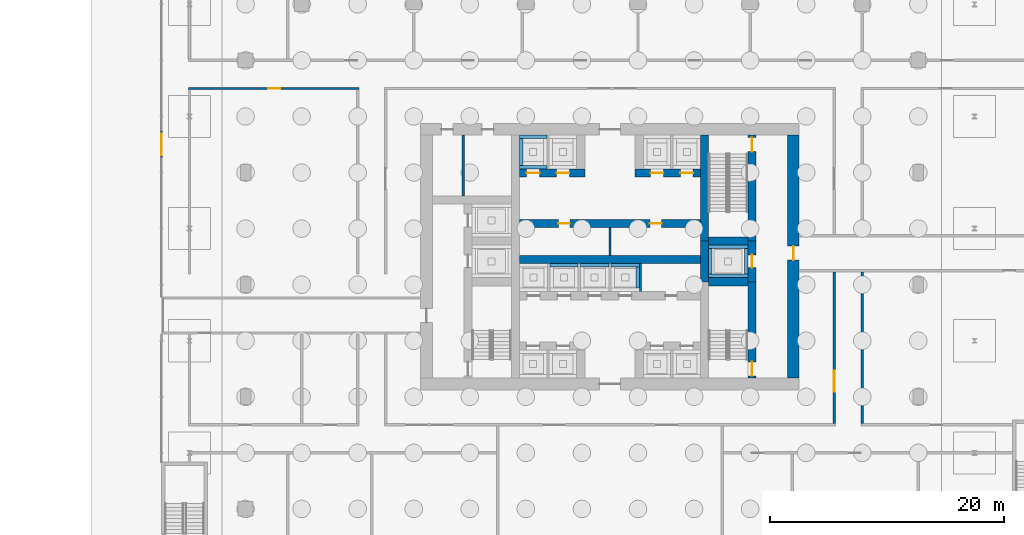
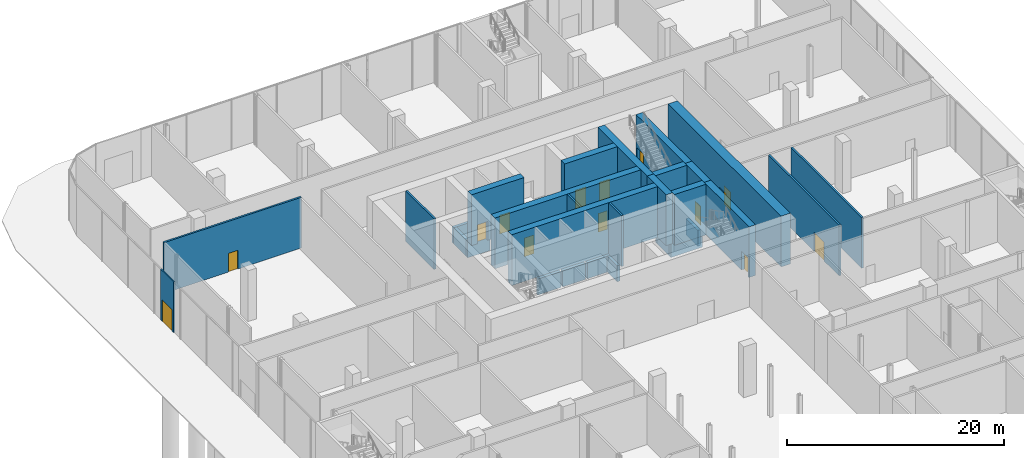
# One storey, part 34 of 44: 30 walls, 13 doors, 13 openings.
"""IFC4 building model written with IfcOpenShell, lengths in metres."""

from ifc_helpers import new_model, si_unit, direction, frame, frame_2d, origin, place, context, subcontext, project, spatial, rectangle, extrude, material, layer, layer_set, type_object, element, fill, save


model = new_model("IFC4")

# Units and contexts
model_context = context("Model", 3, precision=1e-05, world=origin(), true_north=direction((0.0, 1.0)))
body_context = subcontext(model_context, "Body", "Model", "MODEL_VIEW")
ifc_project = project(units=[si_unit("LENGTHUNIT", "METRE"), si_unit("AREAUNIT", "SQUARE_METRE"), si_unit("VOLUMEUNIT", "CUBIC_METRE"), si_unit("PLANEANGLEUNIT", "RADIAN"), si_unit("MASSUNIT", "GRAM", prefix="KILO")], contexts=[model_context])

# Site, building, storey
site_placement = place(None, origin())
site = spatial("IfcSite", under=ifc_project, at=site_placement, CompositionType="ELEMENT")
building_placement = place(site_placement, origin())
building = spatial("IfcBuilding", under=site, at=building_placement, Name="Madar Terraces", CompositionType="ELEMENT")
storey_placement = place(building_placement, origin())
storey = spatial("IfcBuildingStorey", under=building, at=storey_placement, Name="L00", CompositionType="ELEMENT", Elevation=0.0)

# Walls
ifc_material_1 = material(Name="Concrete C80/95", Category="concrete")
ifc_layer_1 = layer(ifc_material_1, 0.699951171875)
ifc_layer_set_1 = layer_set([ifc_layer_1], Name="Concrete C80/95 (CIW1 RC wall 700)")
wall_type_1 = type_object("IfcWallType", Name="CIW1 RC wall 700", PredefinedType="SHEAR", material=ifc_layer_set_1)
wall_1_placement = place(storey_placement, frame((39.300048828125, 24.25, 0.0), z_axis=(0.0, 0.0, 1.0), x_axis=(0.0, 1.0, 0.0)))
element("IfcWall", 1, at=wall_1_placement, inside=storey, type_object=wall_type_1, Name="CORE SHAFT WALL", PredefinedType="SHEAR", context=body_context, shape_type="SweptSolid", body=[
    extrude(rectangle(XDim=3.5, YDim=0.699951171875, at=frame_2d((1.75, 0.0))), origin(), (0.0, 0.0, 1.0), 5.699951171875),
])
wall_2_placement = place(storey_placement, frame((39.300048828125, 27.75, 0.0), z_axis=(0.0, 0.0, 1.0), x_axis=(0.0, 1.0, 0.0)))
element("IfcWall", 2, at=wall_2_placement, inside=storey, type_object=wall_type_1, Name="CORE SHAFT WALL", PredefinedType="SHEAR", context=body_context, shape_type="SweptSolid", body=[
    extrude(rectangle(XDim=9.050048828125, YDim=0.699951171875, at=frame_2d((4.52490234375, 0.0))), origin(), (0.0, 0.0, 1.0), 5.699951171875),
])

# Wall, opening, door
wall_3_placement = place(storey_placement, frame((43.35009765625, 16.0, 0.0), z_axis=(0.0, 0.0, 1.0), x_axis=(0.0, 1.0, 0.0)))
wall_3 = element("IfcWall", 3, at=wall_3_placement, inside=storey, type_object=wall_type_1, Name="CORE SHAFT WALL", PredefinedType="SHEAR", context=body_context, shape_type="SweptSolid", body=[
    extrude(rectangle(XDim=8.25, YDim=0.699951171875, at=frame_2d((4.125, 0.0))), origin(), (0.0, 0.0, 1.0), 5.699951171875),
])
opening_1_placement = place(wall_3_placement, frame((0.199951171875, 0.0, 0.0)))
opening_1 = element("IfcOpeningElement", 4, at=opening_1_placement, cuts=wall_3, Name="Opening SD1", PredefinedType="OPENING", context=body_context, shape_type="SweptSolid", body=[
    extrude(rectangle(XDim=1.199951171875, YDim=2.10009765625, at=frame_2d((0.60009765625, 1.050048828125))), frame((0.0, 0.35986328125, 0.0), z_axis=(0.0, -1.0, 0.0), x_axis=(1.0, 0.0, 0.0)), (0.0, 0.0, 1.0), 0.719970703125),
])
ifc_material_2 = material(Name="Steel door leaf", Category="steel")
door_type_1 = type_object("IfcDoorType", Name="Stair door 1200 x 2100", OperationType="NOTDEFINED", PredefinedType="DOOR", material=ifc_material_2)
door_1_placement = place(opening_1_placement, frame((1.199951171875, 0.0, 0.0), z_axis=(0.0, 0.0, 1.0), x_axis=(-1.0, 0.0, 0.0)))
door_1 = element("IfcDoor", 5, at=door_1_placement, inside=storey, type_object=door_type_1, Name="STAIR DOOR", OperationType="SINGLE_SWING_LEFT", OverallHeight=2.10009765625, OverallWidth=1.199951171875, PredefinedType="DOOR", context=body_context, shape_type="SweptSolid", body=[
    extrude(rectangle(XDim=1.199951171875, YDim=2.10009765625, at=frame_2d((0.60009765625, 1.050048828125))), frame((0.0, 0.02490234375, 0.0), z_axis=(0.0, -1.0, 0.0), x_axis=(1.0, 0.0, 0.0)), (0.0, 0.0, 1.0), 0.050048828125),
])
fill(opening_1, door_1)

wall_4_placement = place(storey_placement, frame((43.35009765625, 24.25, 0.0), z_axis=(0.0, 0.0, 1.0), x_axis=(0.0, 1.0, 0.0)))
wall_4 = element("IfcWall", 6, at=wall_4_placement, inside=storey, type_object=wall_type_1, Name="CORE SHAFT WALL", PredefinedType="SHEAR", context=body_context, shape_type="SweptSolid", body=[
    extrude(rectangle(XDim=3.5, YDim=0.699951171875, at=frame_2d((1.75, 0.0))), origin(), (0.0, 0.0, 1.0), 5.699951171875),
])
opening_2_placement = place(wall_4_placement, frame((1.199951171875, 0.0, 0.0)))
opening_2 = element("IfcOpeningElement", 7, at=opening_2_placement, cuts=wall_4, Name="Opening LD", PredefinedType="OPENING", context=body_context, shape_type="SweptSolid", body=[
    extrude(rectangle(XDim=1.10009765625, YDim=2.10009765625, at=frame_2d((0.550048828125, 1.050048828125))), frame((0.0, 0.35986328125, 0.0), z_axis=(0.0, -1.0, 0.0), x_axis=(1.0, 0.0, 0.0)), (0.0, 0.0, 1.0), 0.719970703125),
])
ifc_material_3 = material(Name="Stainless steel panel", Category="steel")
door_type_2 = type_object("IfcDoorType", Name="Lift landing door 1100 x 2100", OperationType="DOUBLE_DOOR_SLIDING", PredefinedType="DOOR", material=ifc_material_3)
door_2_placement = place(opening_2_placement, origin())
door_2 = element("IfcDoor", 8, at=door_2_placement, inside=storey, type_object=door_type_2, Name="LIFT LANDING DOOR", OperationType="DOUBLE_DOOR_SLIDING", OverallHeight=2.10009765625, OverallWidth=1.10009765625, PredefinedType="DOOR", context=body_context, shape_type="SweptSolid", body=[
    extrude(rectangle(XDim=1.10009765625, YDim=2.10009765625, at=frame_2d((0.550048828125, 1.050048828125))), frame((0.0, 0.02490234375, 0.0), z_axis=(0.0, -1.0, 0.0), x_axis=(1.0, 0.0, 0.0)), (0.0, 0.0, 1.0), 0.050048828125),
])
fill(opening_2, door_2)

wall_5_placement = place(storey_placement, frame((43.35009765625, 27.75, 0.0), z_axis=(0.0, 0.0, 1.0), x_axis=(0.0, 1.0, 0.0)))
wall_5 = element("IfcWall", 9, at=wall_5_placement, inside=storey, type_object=wall_type_1, Name="CORE SHAFT WALL", PredefinedType="SHEAR", context=body_context, shape_type="SweptSolid", body=[
    extrude(rectangle(XDim=9.050048828125, YDim=0.699951171875, at=frame_2d((4.52490234375, 0.0))), origin(), (0.0, 0.0, 1.0), 5.699951171875),
])
opening_3_placement = place(wall_5_placement, frame((7.64990234375, 0.0, 0.0)))
opening_3 = element("IfcOpeningElement", 10, at=opening_3_placement, cuts=wall_5, Name="Opening SD1", PredefinedType="OPENING", context=body_context, shape_type="SweptSolid", body=[
    extrude(rectangle(XDim=1.199951171875, YDim=2.10009765625, at=frame_2d((0.60009765625, 1.050048828125))), frame((0.0, 0.35986328125, 0.0), z_axis=(0.0, -1.0, 0.0), x_axis=(1.0, 0.0, 0.0)), (0.0, 0.0, 1.0), 0.719970703125),
])
door_3_placement = place(opening_3_placement, frame((1.199951171875, 0.0, 0.0), z_axis=(0.0, 0.0, 1.0), x_axis=(-1.0, 0.0, 0.0)))
door_3 = element("IfcDoor", 11, at=door_3_placement, inside=storey, type_object=door_type_1, Name="STAIR DOOR", OperationType="SINGLE_SWING_RIGHT", OverallHeight=2.10009765625, OverallWidth=1.199951171875, PredefinedType="DOOR", context=body_context, shape_type="SweptSolid", body=[
    extrude(rectangle(XDim=1.199951171875, YDim=2.10009765625, at=frame_2d((0.60009765625, 1.050048828125))), frame((0.0, 0.02490234375, 0.0), z_axis=(0.0, -1.0, 0.0), x_axis=(1.0, 0.0, 0.0)), (0.0, 0.0, 1.0), 0.050048828125),
])
fill(opening_3, door_3)

# Walls
for number, where, z_axis, x_axis, name in (
    (12, (39.64990234375, 24.25, 0.0), (0.0, 0.0, 1.0), (1.0, 0.0, 0.0), "CORE SHAFT WALL"),
    (13, (39.64990234375, 27.75, 0.0), (0.0, 0.0, 1.0), (1.0, 0.0, 0.0), "CORE SHAFT WALL"),
):
    element("IfcWall", number, at=place(storey_placement, frame(where, z_axis=z_axis, x_axis=x_axis)), inside=storey, type_object=wall_type_1, Name=name, PredefinedType="SHEAR", context=body_context, shape_type="SweptSolid", body=[
        extrude(rectangle(XDim=3.35009765625, YDim=0.699951171875, at=frame_2d((1.675048828125, 0.0))), origin(), (0.0, 0.0, 1.0), 5.699951171875),
    ])
wall_6_placement = place(storey_placement, frame((23.449951171875, 26.14990234375, 0.0), z_axis=(0.0, 0.0, 1.0), x_axis=(1.0, 0.0, 0.0)))
element("IfcWall", 14, at=wall_6_placement, inside=storey, type_object=wall_type_1, Name="CORE SHAFT WALL", PredefinedType="SHEAR", context=body_context, shape_type="SweptSolid", body=[
    extrude(rectangle(XDim=15.5, YDim=0.699951171875, at=frame_2d((7.75, 0.0))), origin(), (0.0, 0.0, 1.0), 5.699951171875),
])

# Wall, openings, doors
wall_7_placement = place(storey_placement, frame((23.449951171875, 29.25, 0.0), z_axis=(0.0, 0.0, 1.0), x_axis=(1.0, 0.0, 0.0)))
wall_7 = element("IfcWall", 15, at=wall_7_placement, inside=storey, type_object=wall_type_1, Name="CORE SHAFT WALL", PredefinedType="SHEAR", context=body_context, shape_type="SweptSolid", body=[
    extrude(rectangle(XDim=15.5, YDim=0.699951171875, at=frame_2d((7.75, 0.0))), origin(), (0.0, 0.0, 1.0), 5.699951171875),
])
opening_4_placement = place(wall_7_placement, frame((3.324951171875, 0.0, 0.0)))
opening_4 = element("IfcOpeningElement", 16, at=opening_4_placement, cuts=wall_7, Name="Opening KD2", PredefinedType="OPENING", context=body_context, shape_type="SweptSolid", body=[
    extrude(rectangle(XDim=1.0, YDim=2.10009765625, at=frame_2d((0.5, 1.050048828125))), frame((0.0, 0.35986328125, 0.0), z_axis=(0.0, -1.0, 0.0), x_axis=(1.0, 0.0, 0.0)), (0.0, 0.0, 1.0), 0.719970703125),
])
opening_5_placement = place(wall_7_placement, frame((11.175048828125, 0.0, 0.0)))
opening_5 = element("IfcOpeningElement", 17, at=opening_5_placement, cuts=wall_7, Name="Opening KD2", PredefinedType="OPENING", context=body_context, shape_type="SweptSolid", body=[
    extrude(rectangle(XDim=1.0, YDim=2.10009765625, at=frame_2d((0.5, 1.050048828125))), frame((0.0, 0.35986328125, 0.0), z_axis=(0.0, -1.0, 0.0), x_axis=(1.0, 0.0, 0.0)), (0.0, 0.0, 1.0), 0.719970703125),
])
ifc_material_4 = material(Name="Steel door leaf", Category="steel")
door_type_3 = type_object("IfcDoorType", Name="Service room door 1000 x 2100", OperationType="NOTDEFINED", PredefinedType="DOOR", material=ifc_material_4)
door_4_placement = place(opening_4_placement, origin())
door_4 = element("IfcDoor", 18, at=door_4_placement, inside=storey, type_object=door_type_3, Name="SERVICE ROOM DOOR", OperationType="SINGLE_SWING_RIGHT", OverallHeight=2.10009765625, OverallWidth=1.0, PredefinedType="DOOR", context=body_context, shape_type="SweptSolid", body=[
    extrude(rectangle(XDim=1.0, YDim=2.10009765625, at=frame_2d((0.5, 1.050048828125))), frame((0.0, 0.02490234375, 0.0), z_axis=(0.0, -1.0, 0.0), x_axis=(1.0, 0.0, 0.0)), (0.0, 0.0, 1.0), 0.050048828125),
])
fill(opening_4, door_4)
door_5_placement = place(opening_5_placement, origin())
door_5 = element("IfcDoor", 19, at=door_5_placement, inside=storey, type_object=door_type_3, Name="SERVICE ROOM DOOR", OperationType="SINGLE_SWING_LEFT", OverallHeight=2.10009765625, OverallWidth=1.0, PredefinedType="DOOR", context=body_context, shape_type="SweptSolid", body=[
    extrude(rectangle(XDim=1.0, YDim=2.10009765625, at=frame_2d((0.5, 1.050048828125))), frame((0.0, 0.02490234375, 0.0), z_axis=(0.0, -1.0, 0.0), x_axis=(1.0, 0.0, 0.0)), (0.0, 0.0, 1.0), 0.050048828125),
])
fill(opening_5, door_5)

wall_8_placement = place(storey_placement, frame((23.449951171875, 33.550048828125, 0.0), z_axis=(0.0, 0.0, 1.0), x_axis=(1.0, 0.0, 0.0)))
wall_8 = element("IfcWall", 20, at=wall_8_placement, inside=storey, type_object=wall_type_1, Name="CORE SHAFT WALL", PredefinedType="SHEAR", context=body_context, shape_type="SweptSolid", body=[
    extrude(rectangle(XDim=5.60009765625, YDim=0.699951171875, at=frame_2d((2.800048828125, 0.0))), origin(), (0.0, 0.0, 1.0), 5.699951171875),
])
opening_6_placement = place(wall_8_placement, frame((0.625, 0.0, 0.0)))
opening_6 = element("IfcOpeningElement", 21, at=opening_6_placement, cuts=wall_8, Name="Opening LD", PredefinedType="OPENING", context=body_context, shape_type="SweptSolid", body=[
    extrude(rectangle(XDim=1.10009765625, YDim=2.10009765625, at=frame_2d((0.550048828125, 1.050048828125))), frame((0.0, 0.35986328125, 0.0), z_axis=(0.0, -1.0, 0.0), x_axis=(1.0, 0.0, 0.0)), (0.0, 0.0, 1.0), 0.719970703125),
])
opening_7_placement = place(wall_8_placement, frame((3.175048828125, 0.0, 0.0)))
opening_7 = element("IfcOpeningElement", 22, at=opening_7_placement, cuts=wall_8, Name="Opening LD", PredefinedType="OPENING", context=body_context, shape_type="SweptSolid", body=[
    extrude(rectangle(XDim=1.10009765625, YDim=2.10009765625, at=frame_2d((0.550048828125, 1.050048828125))), frame((0.0, 0.35986328125, 0.0), z_axis=(0.0, -1.0, 0.0), x_axis=(1.0, 0.0, 0.0)), (0.0, 0.0, 1.0), 0.719970703125),
])
door_6_placement = place(opening_6_placement, origin())
door_6 = element("IfcDoor", 23, at=door_6_placement, inside=storey, type_object=door_type_2, Name="LIFT LANDING DOOR", OperationType="DOUBLE_DOOR_SLIDING", OverallHeight=2.10009765625, OverallWidth=1.10009765625, PredefinedType="DOOR", context=body_context, shape_type="SweptSolid", body=[
    extrude(rectangle(XDim=1.10009765625, YDim=2.10009765625, at=frame_2d((0.550048828125, 1.050048828125))), frame((0.0, 0.02490234375, 0.0), z_axis=(0.0, -1.0, 0.0), x_axis=(1.0, 0.0, 0.0)), (0.0, 0.0, 1.0), 0.050048828125),
])
fill(opening_6, door_6)
door_7_placement = place(opening_7_placement, origin())
door_7 = element("IfcDoor", 24, at=door_7_placement, inside=storey, type_object=door_type_2, Name="LIFT LANDING DOOR", OperationType="DOUBLE_DOOR_SLIDING", OverallHeight=2.10009765625, OverallWidth=1.10009765625, PredefinedType="DOOR", context=body_context, shape_type="SweptSolid", body=[
    extrude(rectangle(XDim=1.10009765625, YDim=2.10009765625, at=frame_2d((0.550048828125, 1.050048828125))), frame((0.0, 0.02490234375, 0.0), z_axis=(0.0, -1.0, 0.0), x_axis=(1.0, 0.0, 0.0)), (0.0, 0.0, 1.0), 0.050048828125),
])
fill(opening_7, door_7)

wall_9_placement = place(storey_placement, frame((33.35009765625, 33.550048828125, 0.0), z_axis=(0.0, 0.0, 1.0), x_axis=(1.0, 0.0, 0.0)))
wall_9 = element("IfcWall", 25, at=wall_9_placement, inside=storey, type_object=wall_type_1, Name="CORE SHAFT WALL", PredefinedType="SHEAR", context=body_context, shape_type="SweptSolid", body=[
    extrude(rectangle(XDim=5.599853515625, YDim=0.699951171875, at=frame_2d((2.7998046875, 0.0))), origin(), (0.0, 0.0, 1.0), 5.699951171875),
])
opening_8_placement = place(wall_9_placement, frame((1.324951171875, 0.0, 0.0)))
opening_8 = element("IfcOpeningElement", 26, at=opening_8_placement, cuts=wall_9, Name="Opening LD", PredefinedType="OPENING", context=body_context, shape_type="SweptSolid", body=[
    extrude(rectangle(XDim=1.10009765625, YDim=2.10009765625, at=frame_2d((0.550048828125, 1.050048828125))), frame((0.0, 0.35986328125, 0.0), z_axis=(0.0, -1.0, 0.0), x_axis=(1.0, 0.0, 0.0)), (0.0, 0.0, 1.0), 0.719970703125),
])
opening_9_placement = place(wall_9_placement, frame((3.875, 0.0, 0.0)))
opening_9 = element("IfcOpeningElement", 27, at=opening_9_placement, cuts=wall_9, Name="Opening LD", PredefinedType="OPENING", context=body_context, shape_type="SweptSolid", body=[
    extrude(rectangle(XDim=1.10009765625, YDim=2.10009765625, at=frame_2d((0.550048828125, 1.050048828125))), frame((0.0, 0.35986328125, 0.0), z_axis=(0.0, -1.0, 0.0), x_axis=(1.0, 0.0, 0.0)), (0.0, 0.0, 1.0), 0.719970703125),
])
door_8_placement = place(opening_8_placement, origin())
door_8 = element("IfcDoor", 28, at=door_8_placement, inside=storey, type_object=door_type_2, Name="LIFT LANDING DOOR", OperationType="DOUBLE_DOOR_SLIDING", OverallHeight=2.10009765625, OverallWidth=1.10009765625, PredefinedType="DOOR", context=body_context, shape_type="SweptSolid", body=[
    extrude(rectangle(XDim=1.10009765625, YDim=2.10009765625, at=frame_2d((0.550048828125, 1.050048828125))), frame((0.0, 0.02490234375, 0.0), z_axis=(0.0, -1.0, 0.0), x_axis=(1.0, 0.0, 0.0)), (0.0, 0.0, 1.0), 0.050048828125),
])
fill(opening_8, door_8)
door_9_placement = place(opening_9_placement, origin())
door_9 = element("IfcDoor", 29, at=door_9_placement, inside=storey, type_object=door_type_2, Name="LIFT LANDING DOOR", OperationType="DOUBLE_DOOR_SLIDING", OverallHeight=2.10009765625, OverallWidth=1.10009765625, PredefinedType="DOOR", context=body_context, shape_type="SweptSolid", body=[
    extrude(rectangle(XDim=1.10009765625, YDim=2.10009765625, at=frame_2d((0.550048828125, 1.050048828125))), frame((0.0, 0.02490234375, 0.0), z_axis=(0.0, -1.0, 0.0), x_axis=(1.0, 0.0, 0.0)), (0.0, 0.0, 1.0), 0.050048828125),
])
fill(opening_9, door_9)

# Wall, opening, door
ifc_material_5 = material(Name="Concrete C80/95", Category="concrete")
ifc_layer_2 = layer(ifc_material_5, 1.0)
ifc_layer_set_2 = layer_set([ifc_layer_2], Name="Concrete C80/95 (CRW1 RC wall 1000)")
wall_type_2 = type_object("IfcWallType", Name="CRW1 RC wall 1000", PredefinedType="SHEAR", material=ifc_layer_set_2)
wall_10_placement = place(storey_placement, frame((46.89990234375, 16.0, 0.0), z_axis=(0.0, 0.0, 1.0), x_axis=(0.0, 1.0, 0.0)))
wall_10 = element("IfcWall", 30, at=wall_10_placement, inside=storey, type_object=wall_type_2, Name="CORE OUTER WALL", PredefinedType="SHEAR", context=body_context, shape_type="SweptSolid", body=[
    extrude(rectangle(XDim=20.800048828125, YDim=1.0, at=frame_2d((10.39990234375, 0.0))), origin(), (0.0, 0.0, 1.0), 5.699951171875),
])
opening_10_placement = place(wall_10_placement, frame((10.10009765625, 0.0, 0.0)))
opening_10 = element("IfcOpeningElement", 31, at=opening_10_placement, cuts=wall_10, Name="Opening SD1", PredefinedType="OPENING", context=body_context, shape_type="SweptSolid", body=[
    extrude(rectangle(XDim=1.199951171875, YDim=2.10009765625, at=frame_2d((0.60009765625, 1.050048828125))), frame((0.0, 0.510009765625, 0.0), z_axis=(0.0, -1.0, 0.0), x_axis=(1.0, 0.0, 0.0)), (0.0, 0.0, 1.0), 1.02001953125),
])
door_10_placement = place(opening_10_placement, frame((1.199951171875, 0.0, 0.0), z_axis=(0.0, 0.0, 1.0), x_axis=(-1.0, 0.0, 0.0)))
door_10 = element("IfcDoor", 32, at=door_10_placement, inside=storey, type_object=door_type_1, Name="STAIR DOOR", OperationType="SINGLE_SWING_RIGHT", OverallHeight=2.10009765625, OverallWidth=1.199951171875, PredefinedType="DOOR", context=body_context, shape_type="SweptSolid", body=[
    extrude(rectangle(XDim=1.199951171875, YDim=2.10009765625, at=frame_2d((0.60009765625, 1.050048828125))), frame((0.0, 0.02490234375, 0.0), z_axis=(0.0, -1.0, 0.0), x_axis=(1.0, 0.0, 0.0)), (0.0, 0.0, 1.0), 0.050048828125),
])
fill(opening_10, door_10)

# Walls
ifc_material_6 = material(Name="Masonry blockwork", Category="masonry")
ifc_layer_3 = layer(ifc_material_6, 0.199951171875)
ifc_layer_set_3 = layer_set([ifc_layer_3], Name="Core partition 200 blockwork")
wall_type_3 = type_object("IfcWallType", Name="Core partition 200 blockwork", PredefinedType="PARTITIONING", material=ifc_layer_set_3)
wall_11_placement = place(storey_placement, frame((18.632568359375, 31.60009765625, 0.0), z_axis=(0.0, 0.0, 1.0), x_axis=(0.0, 1.0, 0.0)))
element("IfcWall", 33, at=wall_11_placement, inside=storey, type_object=wall_type_3, Name="SERVICE ROOM PARTITION", PredefinedType="PARTITIONING", context=body_context, shape_type="SweptSolid", body=[
    extrude(rectangle(XDim=5.199951171875, YDim=0.199951171875, at=frame_2d((2.60009765625, 0.0))), origin(), (0.0, 0.0, 1.0), 5.699951171875),
])
wall_12_placement = place(storey_placement, frame((31.199951171875, 26.5, 0.0), z_axis=(0.0, 0.0, 1.0), x_axis=(0.0, 1.0, 0.0)))
element("IfcWall", 34, at=wall_12_placement, inside=storey, type_object=wall_type_3, Name="SERVICE ROOM PARTITION", PredefinedType="PARTITIONING", context=body_context, shape_type="SweptSolid", body=[
    extrude(rectangle(XDim=2.39990234375, YDim=0.199951171875, at=frame_2d((1.199951171875, 0.0))), origin(), (0.0, 0.0, 1.0), 5.699951171875),
])
ifc_material_7 = material(Name="Concrete C40/50", Category="concrete")
ifc_layer_4 = layer(ifc_material_7, 0.199951171875)
ifc_layer_set_4 = layer_set([ifc_layer_4], Name="Core shaft dividing wall 200 C40/50")
wall_type_4 = type_object("IfcWallType", Name="Core shaft dividing wall 200 C40/50", PredefinedType="SOLIDWALL", material=ifc_layer_set_4)
wall_13_placement = place(storey_placement, frame((33.816650390625, 23.39990234375, 0.0), z_axis=(0.0, 0.0, 1.0), x_axis=(0.0, 1.0, 0.0)))
element("IfcWall", 35, at=wall_13_placement, inside=storey, type_object=wall_type_4, Name="SHAFT DIVIDING WALL", PredefinedType="SOLIDWALL", context=body_context, shape_type="SweptSolid", body=[
    extrude(rectangle(XDim=2.400146484375, YDim=0.199951171875, at=frame_2d((1.2001953125, 0.0))), origin(), (0.0, 0.0, 1.0), 5.699951171875),
])

# Wall, opening, door
ifc_material_8 = material(Name="Aluminium composite panel, black, over insulated backing", Category="aluminium")
ifc_layer_5 = layer(ifc_material_8, 0.14990234375)
ifc_layer_set_5 = layer_set([ifc_layer_5], Name="Facade bay panel 150")
wall_type_5 = type_object("IfcWallType", Name="Facade bay panel 150", PredefinedType="SOLIDWALL", material=ifc_layer_set_5)
wall_14_placement = place(storey_placement, frame((-7.199951171875, 37.199951171875, 0.0), z_axis=(0.0, 0.0, 1.0), x_axis=(0.0, -1.0, 0.0)))
wall_14 = element("IfcWall", 36, at=wall_14_placement, inside=storey, type_object=wall_type_5, Name="Facade bay panel", PredefinedType="SOLIDWALL", context=body_context, shape_type="SweptSolid", body=[
    extrude(rectangle(XDim=2.39990234375, YDim=0.14990234375, at=frame_2d((1.199951171875, 0.0))), origin(), (0.0, 0.0, 1.0), 5.699951171875),
])
opening_11_placement = place(wall_14_placement, frame((0.300048828125, 0.0, 0.0)))
opening_11 = element("IfcOpeningElement", 37, at=opening_11_placement, cuts=wall_14, Name="Opening ED1", PredefinedType="OPENING", context=body_context, shape_type="SweptSolid", body=[
    extrude(rectangle(XDim=1.800048828125, YDim=2.39990234375, at=frame_2d((0.89990234375, 1.199951171875))), frame((0.0, 0.0849609375, 0.0), z_axis=(0.0, -1.0, 0.0), x_axis=(1.0, 0.0, 0.0)), (0.0, 0.0, 1.0), 0.169921875),
])
ifc_material_9 = material(Name="Glass, clear, with black aluminium frame", Category="aluminium")
door_type_4 = type_object("IfcDoorType", Name="Balcony and terrace sliding door 1800 x 2400", OperationType="SLIDING_TO_LEFT", PredefinedType="DOOR", material=ifc_material_9)
door_11_placement = place(opening_11_placement, origin())
door_11 = element("IfcDoor", 38, at=door_11_placement, inside=storey, type_object=door_type_4, Name="Balcony door", OperationType="SLIDING_TO_LEFT", OverallHeight=2.39990234375, OverallWidth=1.800048828125, PredefinedType="DOOR", context=body_context, shape_type="SweptSolid", body=[
    extrude(rectangle(XDim=1.800048828125, YDim=2.39990234375, at=frame_2d((0.89990234375, 1.199951171875))), frame((0.0, 0.02490234375, 0.0), z_axis=(0.0, -1.0, 0.0), x_axis=(1.0, 0.0, 0.0)), (0.0, 0.0, 1.0), 0.050048828125),
])
fill(opening_11, door_11)

# Walls
ifc_material_10 = material(Name="Concrete C40/50", Category="concrete")
ifc_layer_6 = layer(ifc_material_10, 0.300048828125)
ifc_layer_set_6 = layer_set([ifc_layer_6], Name="Lift pit wall 300 C40/50")
wall_type_6 = type_object("IfcWallType", Name="Lift pit wall 300 C40/50", PredefinedType="SOLIDWALL", material=ifc_layer_set_6)
wall_15_placement = place(storey_placement, frame((26.066650390625, 25.64990234375, -1.800048828125), z_axis=(0.0, 0.0, 1.0), x_axis=(1.0, 0.0, 0.0)))
element("IfcWall", 39, at=wall_15_placement, inside=storey, type_object=wall_type_6, Name="LIFT PIT WALL LR6", PredefinedType="SOLIDWALL", context=body_context, shape_type="SweptSolid", body=[
    extrude(rectangle(XDim=2.416748046875, YDim=0.300048828125, at=frame_2d((1.20849609375, 0.0))), origin(), (0.0, 0.0, 1.0), 1.800048828125),
])
for number, where, z_axis, x_axis, name in (
    (40, (23.449951171875, 34.050048828125, -1.800048828125), (0.0, 0.0, 1.0), (1.0, 0.0, 0.0), "LIFT PIT WALL SH1"),
    (41, (23.449951171875, 36.64990234375, -1.800048828125), (0.0, 0.0, 1.0), (1.0, 0.0, 0.0), "LIFT PIT WALL SH1"),
):
    element("IfcWall", number, at=place(storey_placement, frame(where, z_axis=z_axis, x_axis=x_axis)), inside=storey, type_object=wall_type_6, Name=name, PredefinedType="SOLIDWALL", context=body_context, shape_type="SweptSolid", body=[
        extrude(rectangle(XDim=2.35009765625, YDim=0.300048828125, at=frame_2d((1.175048828125, 0.0))), origin(), (0.0, 0.0, 1.0), 1.800048828125),
    ])
wall_16_placement = place(storey_placement, frame((23.60009765625, 34.199951171875, -1.800048828125), z_axis=(0.0, 0.0, 1.0), x_axis=(0.0, 1.0, 0.0)))
element("IfcWall", 42, at=wall_16_placement, inside=storey, type_object=wall_type_6, Name="LIFT PIT WALL SH1", PredefinedType="SOLIDWALL", context=body_context, shape_type="SweptSolid", body=[
    extrude(rectangle(XDim=2.300048828125, YDim=0.300048828125, at=frame_2d((1.14990234375, 0.0))), origin(), (0.0, 0.0, 1.0), 1.800048828125),
])
wall_17_placement = place(storey_placement, frame((28.683349609375, 25.64990234375, -1.800048828125), z_axis=(0.0, 0.0, 1.0), x_axis=(1.0, 0.0, 0.0)))
element("IfcWall", 43, at=wall_17_placement, inside=storey, type_object=wall_type_6, Name="LIFT PIT WALL OB1", PredefinedType="SOLIDWALL", context=body_context, shape_type="SweptSolid", body=[
    extrude(rectangle(XDim=2.416748046875, YDim=0.300048828125, at=frame_2d((1.20849609375, 0.0))), origin(), (0.0, 0.0, 1.0), 1.800048828125),
])
wall_18_placement = place(storey_placement, frame((31.300048828125, 25.64990234375, -1.800048828125), z_axis=(0.0, 0.0, 1.0), x_axis=(1.0, 0.0, 0.0)))
element("IfcWall", 44, at=wall_18_placement, inside=storey, type_object=wall_type_6, Name="LIFT PIT WALL OB2", PredefinedType="SOLIDWALL", context=body_context, shape_type="SweptSolid", body=[
    extrude(rectangle(XDim=2.41650390625, YDim=0.300048828125, at=frame_2d((1.208251953125, 0.0))), origin(), (0.0, 0.0, 1.0), 1.800048828125),
])
wall_19_placement = place(storey_placement, frame((33.566650390625, 23.699951171875, -1.800048828125), z_axis=(0.0, 0.0, 1.0), x_axis=(0.0, 1.0, 0.0)))
element("IfcWall", 45, at=wall_19_placement, inside=storey, type_object=wall_type_6, Name="LIFT PIT WALL OB2", PredefinedType="SOLIDWALL", context=body_context, shape_type="SweptSolid", body=[
    extrude(rectangle(XDim=1.800048828125, YDim=0.300048828125, at=frame_2d((0.89990234375, 0.0))), origin(), (0.0, 0.0, 1.0), 1.800048828125),
])
for number, where, z_axis, x_axis, name in (
    (46, (39.64990234375, 24.75, -1.800048828125), (0.0, 0.0, 1.0), (1.0, 0.0, 0.0), "LIFT PIT WALL FF3"),
    (47, (39.64990234375, 27.25, -1.800048828125), (0.0, 0.0, 1.0), (1.0, 0.0, 0.0), "LIFT PIT WALL FF3"),
):
    element("IfcWall", number, at=place(storey_placement, frame(where, z_axis=z_axis, x_axis=x_axis)), inside=storey, type_object=wall_type_6, Name=name, PredefinedType="SOLIDWALL", context=body_context, shape_type="SweptSolid", body=[
        extrude(rectangle(XDim=3.35009765625, YDim=0.300048828125, at=frame_2d((1.675048828125, 0.0))), origin(), (0.0, 0.0, 1.0), 1.800048828125),
    ])
for number, where, z_axis, x_axis, name in (
    (48, (39.800048828125, 24.89990234375, -1.800048828125), (0.0, 0.0, 1.0), (0.0, 1.0, 0.0), "LIFT PIT WALL FF3"),
    (49, (42.85009765625, 24.89990234375, -1.800048828125), (0.0, 0.0, 1.0), (0.0, 1.0, 0.0), "LIFT PIT WALL FF3"),
):
    element("IfcWall", number, at=place(storey_placement, frame(where, z_axis=z_axis, x_axis=x_axis)), inside=storey, type_object=wall_type_6, Name=name, PredefinedType="SOLIDWALL", context=body_context, shape_type="SweptSolid", body=[
        extrude(rectangle(XDim=2.2001953125, YDim=0.300048828125, at=frame_2d((1.10009765625, 0.0))), origin(), (0.0, 0.0, 1.0), 1.800048828125),
    ])
ifc_material_11 = material(Name="Blockwork", Category="masonry")
ifc_layer_7 = layer(ifc_material_11, 0.199951171875)
ifc_layer_set_7 = layer_set([ifc_layer_7], Name="Partition 200 EI 120")
wall_type_7 = type_object("IfcWallType", Name="Partition 200 EI 120", PredefinedType="PARTITIONING", material=ifc_layer_set_7)
wall_20_placement = place(storey_placement, frame((52.800048828125, 12.10009765625, 0.0), z_axis=(0.0, 0.0, 1.0), x_axis=(0.0, 1.0, 0.0)))
element("IfcWall", 50, at=wall_20_placement, inside=storey, type_object=wall_type_7, Name="Wall SWITCH ROOM / PODIUM CORRIDOR", PredefinedType="PARTITIONING", context=body_context, shape_type="SweptSolid", body=[
    extrude(rectangle(XDim=13.0, YDim=0.199951171875, at=frame_2d((6.5, 0.0))), origin(), (0.0, 0.0, 1.0), 5.699951171875),
])

# Wall, opening, door
ifc_material_12 = material(Name="Gypsum board partition, fire-rated")
ifc_layer_8 = layer(ifc_material_12, 0.199951171875)
ifc_layer_set_8 = layer_set([ifc_layer_8], Name="Partition 200 EI 60")
wall_type_8 = type_object("IfcWallType", Name="Partition 200 EI 60", PredefinedType="PARTITIONING", material=ifc_layer_set_8)
wall_21_placement = place(storey_placement, frame((9.699951171875, 40.800048828125, 0.0), z_axis=(0.0, 0.0, 1.0), x_axis=(-1.0, 0.0, 0.0)))
wall_21 = element("IfcWall", 51, at=wall_21_placement, inside=storey, type_object=wall_type_8, Name="Wall OFFICE / PODIUM CORRIDOR", PredefinedType="PARTITIONING", context=body_context, shape_type="SweptSolid", body=[
    extrude(rectangle(XDim=14.599853515625, YDim=0.199951171875, at=frame_2d((7.2998046875, 0.0))), origin(), (0.0, 0.0, 1.0), 5.699951171875),
])
opening_12_placement = place(wall_21_placement, frame((6.75, 0.0, 0.0)))
opening_12 = element("IfcOpeningElement", 52, at=opening_12_placement, cuts=wall_21, Name="Opening D31", PredefinedType="OPENING", context=body_context, shape_type="SweptSolid", body=[
    extrude(rectangle(XDim=1.0, YDim=2.10009765625, at=frame_2d((0.5, 1.050048828125))), frame((0.0, 0.10986328125, 0.0), z_axis=(0.0, -1.0, 0.0), x_axis=(1.0, 0.0, 0.0)), (0.0, 0.0, 1.0), 0.219970703125),
])
ifc_material_13 = material(Name="Timber door leaf, fire-rated", Category="wood")
door_type_5 = type_object("IfcDoorType", Name="Podium door 1000 x 2100 FD30S", OperationType="NOTDEFINED", PredefinedType="DOOR", material=ifc_material_13)
door_12_placement = place(opening_12_placement, origin())
door_12 = element("IfcDoor", 53, at=door_12_placement, inside=storey, type_object=door_type_5, Name="Door OFFICE / PODIUM CORRIDOR", OperationType="SINGLE_SWING_LEFT", OverallHeight=2.10009765625, OverallWidth=1.0, PredefinedType="DOOR", context=body_context, shape_type="SweptSolid", body=[
    extrude(rectangle(XDim=1.0, YDim=2.10009765625, at=frame_2d((0.5, 1.050048828125))), frame((0.0, 0.02490234375, 0.0), z_axis=(0.0, -1.0, 0.0), x_axis=(1.0, 0.0, 0.0)), (0.0, 0.0, 1.0), 0.050048828125),
])
fill(opening_12, door_12)

wall_22_placement = place(storey_placement, frame((50.39990234375, 12.10009765625, 0.0), z_axis=(0.0, 0.0, 1.0), x_axis=(0.0, 1.0, 0.0)))
wall_22 = element("IfcWall", 54, at=wall_22_placement, inside=storey, type_object=wall_type_8, Name="Wall PODIUM CORRIDOR / RING CORRIDOR", PredefinedType="PARTITIONING", context=body_context, shape_type="SweptSolid", body=[
    extrude(rectangle(XDim=13.0, YDim=0.199951171875, at=frame_2d((6.5, 0.0))), origin(), (0.0, 0.0, 1.0), 5.699951171875),
])
opening_13_placement = place(wall_22_placement, frame((2.75, 0.0, 0.0)))
opening_13 = element("IfcOpeningElement", 55, at=opening_13_placement, cuts=wall_22, Name="Opening D30", PredefinedType="OPENING", context=body_context, shape_type="SweptSolid", body=[
    extrude(rectangle(XDim=1.800048828125, YDim=2.10009765625, at=frame_2d((0.89990234375, 1.050048828125))), frame((0.0, 0.10986328125, 0.0), z_axis=(0.0, -1.0, 0.0), x_axis=(1.0, 0.0, 0.0)), (0.0, 0.0, 1.0), 0.219970703125),
])
ifc_material_14 = material(Name="Timber door leaf, fire-rated", Category="wood")
door_type_6 = type_object("IfcDoorType", Name="Podium double door 1800 x 2100 FD30S", OperationType="DOUBLE_DOOR_SINGLE_SWING", PredefinedType="DOOR", material=ifc_material_14)
door_13_placement = place(opening_13_placement, origin())
door_13 = element("IfcDoor", 56, at=door_13_placement, inside=storey, type_object=door_type_6, Name="Door PODIUM CORRIDOR / RING CORRIDOR", OperationType="DOUBLE_DOOR_SINGLE_SWING", OverallHeight=2.10009765625, OverallWidth=1.800048828125, PredefinedType="DOOR", context=body_context, shape_type="SweptSolid", body=[
    extrude(rectangle(XDim=1.800048828125, YDim=2.10009765625, at=frame_2d((0.89990234375, 1.050048828125))), frame((0.0, 0.02490234375, 0.0), z_axis=(0.0, -1.0, 0.0), x_axis=(1.0, 0.0, 0.0)), (0.0, 0.0, 1.0), 0.050048828125),
])
fill(opening_13, door_13)

save(model, "model.ifc")
